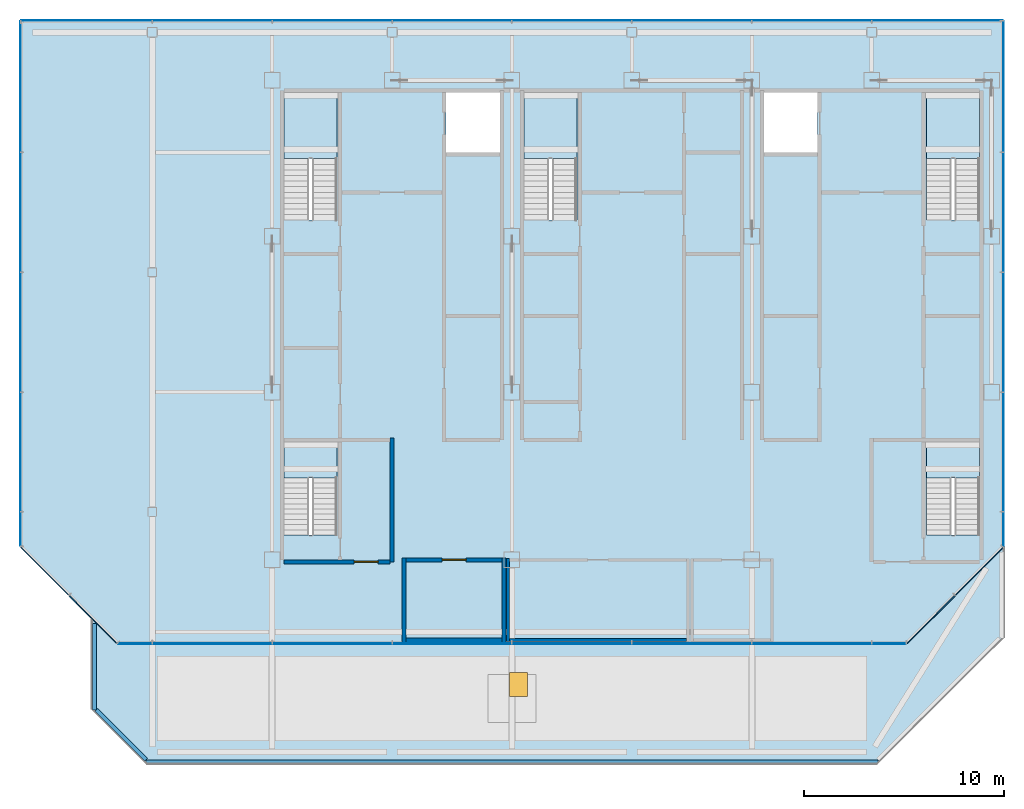
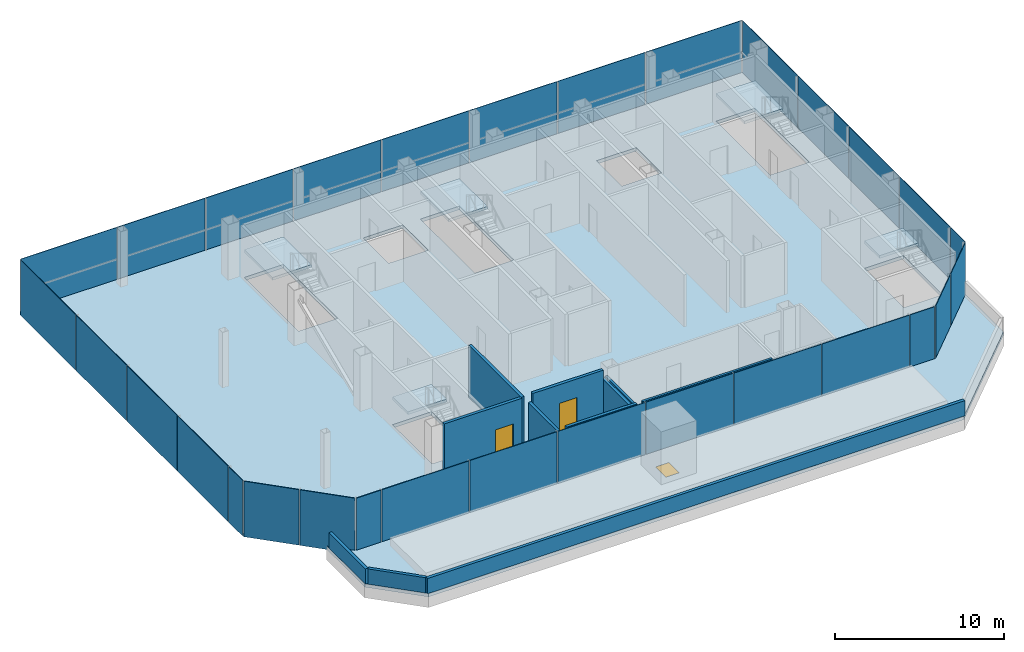
# One storey, part 13 of 18: 30 plates, 11 walls, 7 slabs, 2 doors, 1 window, 3 openings, 11 elements without a shape of their own.
"""IFC4 building model written with IfcOpenShell, lengths in metres."""

import ifcopenshell
import ifcopenshell.guid

model = None  # the IFC model being written
_history = None  # IfcOwnerHistory: only IFC2X3 demands one
_inside = {}  # id of a spatial element -> (the spatial element, [elements in it])
_under = {}  # id of a project, library or spatial element -> (it, [spatial elements below it])
_declared = {}  # id of a project -> (the project, [libraries it declares])
_typed = {}  # id of a type object -> (the type object, [elements of that type])
_made_of = {}  # id of a material, layer set ... -> (it, [elements and type objects made of it])


def new_model(schema):
    """Start an empty IFC model of exactly this schema.

    Asked for "IFC4X3", IfcOpenShell would pick the latest addendum, in which some entities
    have other attributes; the version numbers below select the first issue.
    IFC2X3 requires an IfcOwnerHistory on every rooted entity: one is made here for all.
    """
    global model, _history
    if schema == "IFC4X3":
        model = ifcopenshell.file(schema_version=(4, 3, 0, 0))
    else:
        model = ifcopenshell.file(schema=schema)
    _inside.clear()
    _under.clear()
    _declared.clear()
    _typed.clear()
    _made_of.clear()
    _history = None
    if model.schema == "IFC2X3":
        org = make("IfcOrganization", Name="unknown")
        user = make(
            "IfcPersonAndOrganization",
            ThePerson=make("IfcPerson", FamilyName="unknown"),
            TheOrganization=org,
        )
        app = make(
            "IfcApplication",
            ApplicationDeveloper=org,
            Version="unknown",
            ApplicationFullName="unknown",
            ApplicationIdentifier="unknown",
        )
        _history = make(
            "IfcOwnerHistory",
            OwningUser=user,
            OwningApplication=app,
            ChangeAction="ADDED",
            CreationDate=0,
        )
    return model


def make(cls, **values):
    """One entity of the class cls with the attributes given. An attribute that is None is left unset."""
    return model.create_entity(
        cls, **{name: value for name, value in values.items() if value is not None}
    )


def rooted(cls, **values):
    """An entity with a GlobalId (a new one), such as an element, a storey or a relation."""
    return make(cls, GlobalId=ifcopenshell.guid.new(), OwnerHistory=_history, **values)


def si_unit(unit_type, name, prefix=None):
    """IfcSIUnit, for example si_unit("LENGTHUNIT", "METRE", prefix="MILLI")."""
    return make("IfcSIUnit", UnitType=unit_type, Prefix=prefix, Name=name)


def assignment(units):
    """IfcUnitAssignment: the units of a project."""
    return None if units is None else make("IfcUnitAssignment", Units=units)


def point(xyz):
    """IfcCartesianPoint."""
    return None if xyz is None else make("IfcCartesianPoint", Coordinates=xyz)


def direction(xyz):
    """IfcDirection."""
    return None if xyz is None else make("IfcDirection", DirectionRatios=xyz)


def frame(location, z_axis=None, x_axis=None):
    """IfcAxis2Placement3D, a coordinate frame: its origin and axes. An axis left out is left unset."""
    return make(
        "IfcAxis2Placement3D",
        Location=point(location),
        Axis=direction(z_axis),
        RefDirection=direction(x_axis),
    )


def frame_2d(location, x_axis=None):
    """IfcAxis2Placement2D, a coordinate frame in the plane: its origin and x axis."""
    return make(
        "IfcAxis2Placement2D", Location=point(location), RefDirection=direction(x_axis)
    )


def origin():
    """The frame at (0, 0, 0) with its axes left unset."""
    return frame((0.0, 0.0, 0.0))


def origin_2d():
    """The frame at (0, 0) in the plane with its x axis left unset."""
    return frame_2d((0.0, 0.0))


def place(relative_to, where):
    """IfcLocalPlacement: puts the frame where relative to a parent placement (None: the world)."""
    return make(
        "IfcLocalPlacement", PlacementRelTo=relative_to, RelativePlacement=where
    )


def context(
    kind, dimensions, precision=None, world=None, true_north=None, identifier=None
):
    """IfcGeometricRepresentationContext, for example the 3D "Model" context."""
    return make(
        "IfcGeometricRepresentationContext",
        ContextIdentifier=identifier,
        ContextType=kind,
        CoordinateSpaceDimension=dimensions,
        Precision=precision,
        WorldCoordinateSystem=world,
        TrueNorth=true_north,
    )


def subcontext(parent, identifier, kind, view, scale=None):
    """IfcGeometricRepresentationSubContext, for example "Body" below "Model"."""
    return make(
        "IfcGeometricRepresentationSubContext",
        ContextIdentifier=identifier,
        ContextType=kind,
        ParentContext=parent,
        TargetScale=scale,
        TargetView=view,
    )


def project(units=None, contexts=None):
    """IfcProject with its units and contexts."""
    return rooted(
        "IfcProject",
        Name="project",
        RepresentationContexts=contexts,
        UnitsInContext=assignment(units),
    )


def spatial(cls, under=None, at=None, **own):
    """A site, building, storey or space (cls), placed at a placement, below another one or the project."""
    s = rooted(cls, ObjectPlacement=at, **own)
    if under is not None:
        _under.setdefault(under.id(), (under, []))[1].append(s)
    return s


def polyline(points):
    """IfcPolyline through the points."""
    return make("IfcPolyline", Points=[point(p) for p in points])


def profile(cls, at=None, kind="AREA", **sizes):
    """A parametric profile (cls). Its sizes go by their IFC names, for example OverallWidth=200.0."""
    return make(cls, ProfileType=kind, Position=at, **sizes)


def rectangle(**sizes):
    """IfcRectangleProfileDef."""
    return profile("IfcRectangleProfileDef", **sizes)


def outline(outer, holes=None, kind="AREA"):
    """IfcArbitraryClosedProfileDef: a profile drawn as a closed curve; with holes, ...WithVoids."""
    if holes is None:
        return make("IfcArbitraryClosedProfileDef", ProfileType=kind, OuterCurve=outer)
    return make(
        "IfcArbitraryProfileDefWithVoids",
        ProfileType=kind,
        OuterCurve=outer,
        InnerCurves=holes,
    )


def extrude(swept, where, along, depth):
    """IfcExtrudedAreaSolid: the profile swept, set in the frame where, extruded along a direction by depth."""
    return make(
        "IfcExtrudedAreaSolid",
        SweptArea=swept,
        Position=where,
        ExtrudedDirection=direction(along),
        Depth=depth,
    )


def shape(context_of_items, identifier, shape_type, items):
    """IfcShapeRepresentation: the items that make up one representation, for example the "Body"."""
    return make(
        "IfcShapeRepresentation",
        ContextOfItems=context_of_items,
        RepresentationIdentifier=identifier,
        RepresentationType=shape_type,
        Items=items,
    )


def material(Name=None, Category=None):
    """IfcMaterial."""
    return make("IfcMaterial", Name=Name, Category=Category)


def layer(
    of_material, thickness, ventilated=None, Name=None, Category=None, Priority=None
):
    """IfcMaterialLayer: one layer of a wall or slab, of a material (None: an air gap)."""
    return make(
        "IfcMaterialLayer",
        Material=of_material,
        LayerThickness=thickness,
        IsVentilated=ventilated,
        Name=Name,
        Category=Category,
        Priority=Priority,
    )


def layer_set(layers, Name=None):
    """IfcMaterialLayerSet."""
    return make("IfcMaterialLayerSet", MaterialLayers=layers, LayerSetName=Name)


def made_of(thing, what):
    """Note that an element or type object is made of a material, layer set ...; save() writes the relation."""
    if what is not None:
        _made_of.setdefault(what.id(), (what, []))[1].append(thing)
    return thing


def type_object(cls, material=None, **own):
    """A type object (cls), such as IfcWallType, which elements share."""
    return made_of(rooted(cls, **own), material)


def element(
    cls,
    number,
    at=None,
    inside=None,
    cuts=None,
    type_object=None,
    material=None,
    context=None,
    identifier="Body",
    shape_type=None,
    held_by="IfcProductDefinitionShape",
    body=None,
    shapes=None,
    **own,
):
    """One element of the class cls, such as IfcWall. Its Tag is "e" and its number.

    at: its placement. inside: the storey or other place that contains it. cuts: it is an
    opening in that element (IfcRelVoidsElement). A single representation is given by context,
    identifier, shape_type and body (its items); several are given by shapes. held_by: the class
    of the entity that holds the representations. save() writes the other relations.
    """
    e = rooted(cls, Tag="e%d" % number, ObjectPlacement=at, **own)
    if body is not None:
        shapes = [shape(context, identifier, shape_type, body)]
    if shapes is not None:
        e.Representation = make(held_by, Representations=shapes)
    if inside is not None:
        _inside.setdefault(inside.id(), (inside, []))[1].append(e)
    if cuts is not None:
        rooted(
            "IfcRelVoidsElement", RelatingBuildingElement=cuts, RelatedOpeningElement=e
        )
    if type_object is not None:
        _typed.setdefault(type_object.id(), (type_object, []))[1].append(e)
    return made_of(e, material)


def fill(opening, filler):
    """IfcRelFillsElement: the door or window that sits in an opening."""
    return rooted(
        "IfcRelFillsElement",
        RelatingOpeningElement=opening,
        RelatedBuildingElement=filler,
    )


def aggregate(whole, parts):
    """IfcRelAggregates: a whole, such as a stair, and the parts it consists of."""
    return rooted("IfcRelAggregates", RelatingObject=whole, RelatedObjects=parts)


def save(model, path):
    """Write the relations noted so far, then the file.

    IfcRelAggregates (storeys below a building ...), IfcRelContainedInSpatialStructure (elements
    in a storey), IfcRelDefinesByType, IfcRelAssociatesMaterial and IfcRelDeclares: one each for
    every whole, place, type object, material and project.
    """
    for whole, parts in _under.values():
        aggregate(whole, parts)
    for where, things in _inside.values():
        rooted(
            "IfcRelContainedInSpatialStructure",
            RelatedElements=things,
            RelatingStructure=where,
        )
    for kind, things in _typed.values():
        rooted("IfcRelDefinesByType", RelatedObjects=things, RelatingType=kind)
    for what, things in _made_of.values():
        rooted("IfcRelAssociatesMaterial", RelatedObjects=things, RelatingMaterial=what)
    for by, libraries in _declared.values():
        rooted("IfcRelDeclares", RelatingContext=by, RelatedDefinitions=libraries)
    model.write(path)


model = new_model("IFC4")

# Units and contexts
model_context = context("Model", 3, precision=1e-05, world=origin(), true_north=direction((0.0, 1.0)))
body_context = subcontext(model_context, "Body", "Model", "MODEL_VIEW")
ifc_project = project(units=[si_unit("LENGTHUNIT", "METRE"), si_unit("AREAUNIT", "SQUARE_METRE"), si_unit("VOLUMEUNIT", "CUBIC_METRE"), si_unit("PLANEANGLEUNIT", "RADIAN"), si_unit("MASSUNIT", "GRAM", prefix="KILO")], contexts=[model_context])

# Site, building, storey
site_placement = place(None, origin())
site = spatial("IfcSite", under=ifc_project, at=site_placement, CompositionType="ELEMENT")
building_placement = place(site_placement, origin())
building = spatial("IfcBuilding", under=site, at=building_placement, Name="Sorahane Residences", CompositionType="ELEMENT")
storey_placement = place(building_placement, frame((0.0, 0.0, 345.800048828125)))
storey = spatial("IfcBuildingStorey", under=building, at=storey_placement, Name="L82", CompositionType="ELEMENT", Elevation=345.800048828125)

# Slab
ifc_material_1 = material(Name="Concrete C35", Category="concrete")
ifc_layer_1 = layer(ifc_material_1, 0.25)
ifc_layer_set_1 = layer_set([ifc_layer_1], Name="Composite floor slab 250 mm Concrete C35")
slab_type_1 = type_object("IfcSlabType", Name="Composite floor slab 250 mm Concrete C35", PredefinedType="FLOOR", material=ifc_layer_set_1)
slab_1_placement = place(storey_placement, frame((0.0, 0.0, -0.25)))
element("IfcSlab", 1, at=slab_1_placement, inside=storey, type_object=slab_type_1, Name="Slab L82", PredefinedType="FLOOR", context=body_context, shape_type="SweptSolid", body=[
    extrude(outline(polyline([(-1.74853515625, 17.39990234375), (-6.60009765625, 22.25146484375), (-6.60009765625, 48.60009765625), (42.60009765625, 48.60009765625), (42.60009765625, 22.25146484375), (37.74853515625, 17.39990234375), (-1.74853515625, 17.39990234375)]), holes=[polyline([(30.60009765625, 42.0), (33.300048828125, 42.0), (33.300048828125, 45.0), (30.60009765625, 45.0), (30.60009765625, 42.0)]), polyline([(14.699951171875, 42.0), (17.39990234375, 42.0), (17.39990234375, 45.0), (14.699951171875, 45.0), (14.699951171875, 42.0)]), polyline([(9.25, 38.60009765625), (9.25, 45.0), (6.60009765625, 45.0), (6.60009765625, 38.60009765625), (9.25, 38.60009765625)]), polyline([(41.39990234375, 38.60009765625), (41.39990234375, 45.0), (38.75, 45.0), (38.75, 38.60009765625), (41.39990234375, 38.60009765625)]), polyline([(21.25, 38.60009765625), (21.25, 45.0), (18.60009765625, 45.0), (18.60009765625, 38.60009765625), (21.25, 38.60009765625)]), polyline([(9.25, 22.85009765625), (9.25, 27.5), (6.60009765625, 27.5), (6.60009765625, 22.85009765625), (9.25, 22.85009765625)]), polyline([(41.39990234375, 22.85009765625), (41.39990234375, 27.5), (38.75, 27.5), (38.75, 22.85009765625), (41.39990234375, 22.85009765625)])]), origin(), (0.0, 0.0, 1.0), 0.25),
])

# Curtain wall, plates
ifc_material_2 = material(Name="Dark low-e glass and black anodised aluminium", Category="aluminium")
curtain_wall_type = type_object("IfcCurtainWallType", Name="Curtain wall CW-6 Crown unitised wall", PredefinedType="NOTDEFINED", material=ifc_material_2)
curtain_wall_1_placement = place(storey_placement, origin())
curtain_wall_1 = element("IfcCurtainWall", 2, at=curtain_wall_1_placement, inside=storey, type_object=curtain_wall_type, Name="CW-6 curtain wall L82 S1", PredefinedType="NOTDEFINED")
ifc_material_3 = material(Name="Dark low-e glass with black ceramic frit", Category="glass")
ifc_layer_2 = layer(ifc_material_3, 0.0400390625)
ifc_layer_set_2 = layer_set([ifc_layer_2], Name="Curtain wall glass panel dark low-e crown with black frit spandrel band")
plate_type = type_object("IfcPlateType", Name="Curtain wall glass panel dark low-e crown with black frit spandrel band", PredefinedType="CURTAIN_PANEL", material=ifc_layer_set_2)
plate_1_placement = place(storey_placement, frame((-0.86181640625, 17.39990234375, -0.25), z_axis=(0.0, 0.0, 1.0), x_axis=(1.0, 0.0, 0.0)))
plate_1 = element("IfcPlate", 3, at=plate_1_placement, type_object=plate_type, Name="CW-6 glass panel L82 S1.1", PredefinedType="CURTAIN_PANEL", context=body_context, shape_type="SweptSolid", body=[
    extrude(rectangle(XDim=1.673583984375, YDim=0.0400390625, at=origin_2d()), origin(), (0.0, 0.0, 1.0), 4.0),
])
plate_2_placement = place(storey_placement, frame((3.0, 17.39990234375, -0.25), z_axis=(0.0, 0.0, 1.0), x_axis=(1.0, 0.0, 0.0)))
plate_2 = element("IfcPlate", 4, at=plate_2_placement, type_object=plate_type, Name="CW-6 glass panel L82 S1.2", PredefinedType="CURTAIN_PANEL", context=body_context, shape_type="SweptSolid", body=[
    extrude(rectangle(XDim=5.949951171875, YDim=0.0400390625, at=origin_2d()), origin(), (0.0, 0.0, 1.0), 4.0),
])
plate_3_placement = place(storey_placement, frame((9.0, 17.39990234375, -0.25), z_axis=(0.0, 0.0, 1.0), x_axis=(1.0, 0.0, 0.0)))
plate_3 = element("IfcPlate", 5, at=plate_3_placement, type_object=plate_type, Name="CW-6 glass panel L82 S1.3", PredefinedType="CURTAIN_PANEL", context=body_context, shape_type="SweptSolid", body=[
    extrude(rectangle(XDim=5.949951171875, YDim=0.0400390625, at=origin_2d()), origin(), (0.0, 0.0, 1.0), 4.0),
])
plate_4_placement = place(storey_placement, frame((15.0, 17.39990234375, -0.25), z_axis=(0.0, 0.0, 1.0), x_axis=(1.0, 0.0, 0.0)))
plate_4 = element("IfcPlate", 6, at=plate_4_placement, type_object=plate_type, Name="CW-6 glass panel L82 S1.4", PredefinedType="CURTAIN_PANEL", context=body_context, shape_type="SweptSolid", body=[
    extrude(rectangle(XDim=5.949951171875, YDim=0.0400390625, at=origin_2d()), origin(), (0.0, 0.0, 1.0), 4.0),
])
plate_5_placement = place(storey_placement, frame((21.0, 17.39990234375, -0.25), z_axis=(0.0, 0.0, 1.0), x_axis=(1.0, 0.0, 0.0)))
plate_5 = element("IfcPlate", 7, at=plate_5_placement, type_object=plate_type, Name="CW-6 glass panel L82 S1.5", PredefinedType="CURTAIN_PANEL", context=body_context, shape_type="SweptSolid", body=[
    extrude(rectangle(XDim=5.949951171875, YDim=0.0400390625, at=origin_2d()), origin(), (0.0, 0.0, 1.0), 4.0),
])
plate_6_placement = place(storey_placement, frame((27.0, 17.39990234375, -0.25), z_axis=(0.0, 0.0, 1.0), x_axis=(1.0, 0.0, 0.0)))
plate_6 = element("IfcPlate", 8, at=plate_6_placement, type_object=plate_type, Name="CW-6 glass panel L82 S1.6", PredefinedType="CURTAIN_PANEL", context=body_context, shape_type="SweptSolid", body=[
    extrude(rectangle(XDim=5.949951171875, YDim=0.0400390625, at=origin_2d()), origin(), (0.0, 0.0, 1.0), 4.0),
])
plate_7_placement = place(storey_placement, frame((33.0, 17.39990234375, -0.25), z_axis=(0.0, 0.0, 1.0), x_axis=(1.0, 0.0, 0.0)))
plate_7 = element("IfcPlate", 9, at=plate_7_placement, type_object=plate_type, Name="CW-6 glass panel L82 S1.7", PredefinedType="CURTAIN_PANEL", context=body_context, shape_type="SweptSolid", body=[
    extrude(rectangle(XDim=5.949951171875, YDim=0.0400390625, at=origin_2d()), origin(), (0.0, 0.0, 1.0), 4.0),
])
plate_8_placement = place(storey_placement, frame((36.86181640625, 17.39990234375, -0.25), z_axis=(0.0, 0.0, 1.0), x_axis=(1.0, 0.0, 0.0)))
plate_8 = element("IfcPlate", 10, at=plate_8_placement, type_object=plate_type, Name="CW-6 glass panel L82 S1.8", PredefinedType="CURTAIN_PANEL", context=body_context, shape_type="SweptSolid", body=[
    extrude(rectangle(XDim=1.673583984375, YDim=0.0400390625, at=origin_2d()), origin(), (0.0, 0.0, 1.0), 4.0),
])
aggregate(curtain_wall_1, [plate_1, plate_2, plate_3, plate_4, plate_5, plate_6, plate_7, plate_8])

curtain_wall_2_placement = place(storey_placement, origin())
curtain_wall_2 = element("IfcCurtainWall", 11, at=curtain_wall_2_placement, inside=storey, type_object=curtain_wall_type, Name="CW-6 curtain wall L82 SE1", PredefinedType="NOTDEFINED")
plate_9_placement = place(storey_placement, frame((38.97021484375, 18.621826171875, -0.25), z_axis=(0.0, 0.0, 1.0), x_axis=(0.707106781187, 0.707106781187, 0.0)))
plate_9 = element("IfcPlate", 12, at=plate_9_placement, type_object=plate_type, Name="CW-6 glass panel L82 SE1.1", PredefinedType="CURTAIN_PANEL", context=body_context, shape_type="SweptSolid", body=[
    extrude(rectangle(XDim=3.35546875, YDim=0.0400390625, at=origin_2d()), origin(), (0.0, 0.0, 1.0), 4.0),
])
plate_10_placement = place(storey_placement, frame((41.378173828125, 21.02978515625, -0.25), z_axis=(0.0, 0.0, 1.0), x_axis=(0.707106781187, 0.707106781187, 0.0)))
plate_10 = element("IfcPlate", 13, at=plate_10_placement, type_object=plate_type, Name="CW-6 glass panel L82 SE1.2", PredefinedType="CURTAIN_PANEL", context=body_context, shape_type="SweptSolid", body=[
    extrude(rectangle(XDim=3.35546875, YDim=0.0400390625, at=origin_2d()), origin(), (0.0, 0.0, 1.0), 4.0),
])
aggregate(curtain_wall_2, [plate_9, plate_10])

curtain_wall_3_placement = place(storey_placement, origin())
curtain_wall_3 = element("IfcCurtainWall", 14, at=curtain_wall_3_placement, inside=storey, type_object=curtain_wall_type, Name="CW-6 curtain wall L82 E1", PredefinedType="NOTDEFINED")
plate_11_placement = place(storey_placement, frame((42.60009765625, 23.13818359375, -0.25), z_axis=(0.0, 0.0, 1.0), x_axis=(0.0, 1.0, 0.0)))
plate_11 = element("IfcPlate", 15, at=plate_11_placement, type_object=plate_type, Name="CW-6 glass panel L82 E1.1", PredefinedType="CURTAIN_PANEL", context=body_context, shape_type="SweptSolid", body=[
    extrude(rectangle(XDim=1.673583984375, YDim=0.0400390625, at=origin_2d()), origin(), (0.0, 0.0, 1.0), 4.0),
])
plate_12_placement = place(storey_placement, frame((42.60009765625, 27.0, -0.25), z_axis=(0.0, 0.0, 1.0), x_axis=(0.0, 1.0, 0.0)))
plate_12 = element("IfcPlate", 16, at=plate_12_placement, type_object=plate_type, Name="CW-6 glass panel L82 E1.2", PredefinedType="CURTAIN_PANEL", context=body_context, shape_type="SweptSolid", body=[
    extrude(rectangle(XDim=5.949951171875, YDim=0.0400390625, at=origin_2d()), origin(), (0.0, 0.0, 1.0), 4.0),
])
plate_13_placement = place(storey_placement, frame((42.60009765625, 33.0, -0.25), z_axis=(0.0, 0.0, 1.0), x_axis=(0.0, 1.0, 0.0)))
plate_13 = element("IfcPlate", 17, at=plate_13_placement, type_object=plate_type, Name="CW-6 glass panel L82 E1.3", PredefinedType="CURTAIN_PANEL", context=body_context, shape_type="SweptSolid", body=[
    extrude(rectangle(XDim=5.949951171875, YDim=0.0400390625, at=origin_2d()), origin(), (0.0, 0.0, 1.0), 4.0),
])
plate_14_placement = place(storey_placement, frame((42.60009765625, 39.0, -0.25), z_axis=(0.0, 0.0, 1.0), x_axis=(0.0, 1.0, 0.0)))
plate_14 = element("IfcPlate", 18, at=plate_14_placement, type_object=plate_type, Name="CW-6 glass panel L82 E1.4", PredefinedType="CURTAIN_PANEL", context=body_context, shape_type="SweptSolid", body=[
    extrude(rectangle(XDim=5.949951171875, YDim=0.0400390625, at=origin_2d()), origin(), (0.0, 0.0, 1.0), 4.0),
])
plate_15_placement = place(storey_placement, frame((42.60009765625, 45.28759765625, -0.25), z_axis=(0.0, 0.0, 1.0), x_axis=(0.0, 1.0, 0.0)))
plate_15 = element("IfcPlate", 19, at=plate_15_placement, type_object=plate_type, Name="CW-6 glass panel L82 E1.5", PredefinedType="CURTAIN_PANEL", context=body_context, shape_type="SweptSolid", body=[
    extrude(rectangle(XDim=6.52490234375, YDim=0.0400390625, at=origin_2d()), origin(), (0.0, 0.0, 1.0), 4.0),
])
aggregate(curtain_wall_3, [plate_11, plate_12, plate_13, plate_14, plate_15])

curtain_wall_4_placement = place(storey_placement, origin())
curtain_wall_4 = element("IfcCurtainWall", 20, at=curtain_wall_4_placement, inside=storey, type_object=curtain_wall_type, Name="CW-6 curtain wall L82 N1", PredefinedType="NOTDEFINED")
plate_16_placement = place(storey_placement, frame((39.28759765625, 48.60009765625, -0.25), z_axis=(0.0, 0.0, 1.0), x_axis=(-1.0, 0.0, 0.0)))
plate_16 = element("IfcPlate", 21, at=plate_16_placement, type_object=plate_type, Name="CW-6 glass panel L82 N1.1", PredefinedType="CURTAIN_PANEL", context=body_context, shape_type="SweptSolid", body=[
    extrude(rectangle(XDim=6.52490234375, YDim=0.0400390625, at=origin_2d()), origin(), (0.0, 0.0, 1.0), 4.0),
])
plate_17_placement = place(storey_placement, frame((33.0, 48.60009765625, -0.25), z_axis=(0.0, 0.0, 1.0), x_axis=(-1.0, 0.0, 0.0)))
plate_17 = element("IfcPlate", 22, at=plate_17_placement, type_object=plate_type, Name="CW-6 glass panel L82 N1.2", PredefinedType="CURTAIN_PANEL", context=body_context, shape_type="SweptSolid", body=[
    extrude(rectangle(XDim=5.949951171875, YDim=0.0400390625, at=origin_2d()), origin(), (0.0, 0.0, 1.0), 4.0),
])
plate_18_placement = place(storey_placement, frame((27.0, 48.60009765625, -0.25), z_axis=(0.0, 0.0, 1.0), x_axis=(-1.0, 0.0, 0.0)))
plate_18 = element("IfcPlate", 23, at=plate_18_placement, type_object=plate_type, Name="CW-6 glass panel L82 N1.3", PredefinedType="CURTAIN_PANEL", context=body_context, shape_type="SweptSolid", body=[
    extrude(rectangle(XDim=5.949951171875, YDim=0.0400390625, at=origin_2d()), origin(), (0.0, 0.0, 1.0), 4.0),
])
plate_19_placement = place(storey_placement, frame((21.0, 48.60009765625, -0.25), z_axis=(0.0, 0.0, 1.0), x_axis=(-1.0, 0.0, 0.0)))
plate_19 = element("IfcPlate", 24, at=plate_19_placement, type_object=plate_type, Name="CW-6 glass panel L82 N1.4", PredefinedType="CURTAIN_PANEL", context=body_context, shape_type="SweptSolid", body=[
    extrude(rectangle(XDim=5.949951171875, YDim=0.0400390625, at=origin_2d()), origin(), (0.0, 0.0, 1.0), 4.0),
])
plate_20_placement = place(storey_placement, frame((15.0, 48.60009765625, -0.25), z_axis=(0.0, 0.0, 1.0), x_axis=(-1.0, 0.0, 0.0)))
plate_20 = element("IfcPlate", 25, at=plate_20_placement, type_object=plate_type, Name="CW-6 glass panel L82 N1.5", PredefinedType="CURTAIN_PANEL", context=body_context, shape_type="SweptSolid", body=[
    extrude(rectangle(XDim=5.949951171875, YDim=0.0400390625, at=origin_2d()), origin(), (0.0, 0.0, 1.0), 4.0),
])
plate_21_placement = place(storey_placement, frame((9.0, 48.60009765625, -0.25), z_axis=(0.0, 0.0, 1.0), x_axis=(-1.0, 0.0, 0.0)))
plate_21 = element("IfcPlate", 26, at=plate_21_placement, type_object=plate_type, Name="CW-6 glass panel L82 N1.6", PredefinedType="CURTAIN_PANEL", context=body_context, shape_type="SweptSolid", body=[
    extrude(rectangle(XDim=5.949951171875, YDim=0.0400390625, at=origin_2d()), origin(), (0.0, 0.0, 1.0), 4.0),
])
plate_22_placement = place(storey_placement, frame((3.0, 48.60009765625, -0.25), z_axis=(0.0, 0.0, 1.0), x_axis=(-1.0, 0.0, 0.0)))
plate_22 = element("IfcPlate", 27, at=plate_22_placement, type_object=plate_type, Name="CW-6 glass panel L82 N1.7", PredefinedType="CURTAIN_PANEL", context=body_context, shape_type="SweptSolid", body=[
    extrude(rectangle(XDim=5.949951171875, YDim=0.0400390625, at=origin_2d()), origin(), (0.0, 0.0, 1.0), 4.0),
])
plate_23_placement = place(storey_placement, frame((-3.28759765625, 48.60009765625, -0.25), z_axis=(0.0, 0.0, 1.0), x_axis=(-1.0, 0.0, 0.0)))
plate_23 = element("IfcPlate", 28, at=plate_23_placement, type_object=plate_type, Name="CW-6 glass panel L82 N1.8", PredefinedType="CURTAIN_PANEL", context=body_context, shape_type="SweptSolid", body=[
    extrude(rectangle(XDim=6.52490234375, YDim=0.0400390625, at=origin_2d()), origin(), (0.0, 0.0, 1.0), 4.0),
])
aggregate(curtain_wall_4, [plate_16, plate_17, plate_18, plate_19, plate_20, plate_21, plate_22, plate_23])

curtain_wall_5_placement = place(storey_placement, origin())
curtain_wall_5 = element("IfcCurtainWall", 29, at=curtain_wall_5_placement, inside=storey, type_object=curtain_wall_type, Name="CW-6 curtain wall L82 W1", PredefinedType="NOTDEFINED")
plate_24_placement = place(storey_placement, frame((-6.60009765625, 45.28759765625, -0.25), z_axis=(0.0, 0.0, 1.0), x_axis=(0.0, -1.0, 0.0)))
plate_24 = element("IfcPlate", 30, at=plate_24_placement, type_object=plate_type, Name="CW-6 glass panel L82 W1.1", PredefinedType="CURTAIN_PANEL", context=body_context, shape_type="SweptSolid", body=[
    extrude(rectangle(XDim=6.52490234375, YDim=0.0400390625, at=origin_2d()), origin(), (0.0, 0.0, 1.0), 4.0),
])
plate_25_placement = place(storey_placement, frame((-6.60009765625, 39.0, -0.25), z_axis=(0.0, 0.0, 1.0), x_axis=(0.0, -1.0, 0.0)))
plate_25 = element("IfcPlate", 31, at=plate_25_placement, type_object=plate_type, Name="CW-6 glass panel L82 W1.2", PredefinedType="CURTAIN_PANEL", context=body_context, shape_type="SweptSolid", body=[
    extrude(rectangle(XDim=5.949951171875, YDim=0.0400390625, at=origin_2d()), origin(), (0.0, 0.0, 1.0), 4.0),
])
plate_26_placement = place(storey_placement, frame((-6.60009765625, 33.0, -0.25), z_axis=(0.0, 0.0, 1.0), x_axis=(0.0, -1.0, 0.0)))
plate_26 = element("IfcPlate", 32, at=plate_26_placement, type_object=plate_type, Name="CW-6 glass panel L82 W1.3", PredefinedType="CURTAIN_PANEL", context=body_context, shape_type="SweptSolid", body=[
    extrude(rectangle(XDim=5.949951171875, YDim=0.0400390625, at=origin_2d()), origin(), (0.0, 0.0, 1.0), 4.0),
])
plate_27_placement = place(storey_placement, frame((-6.60009765625, 27.0, -0.25), z_axis=(0.0, 0.0, 1.0), x_axis=(0.0, -1.0, 0.0)))
plate_27 = element("IfcPlate", 33, at=plate_27_placement, type_object=plate_type, Name="CW-6 glass panel L82 W1.4", PredefinedType="CURTAIN_PANEL", context=body_context, shape_type="SweptSolid", body=[
    extrude(rectangle(XDim=5.949951171875, YDim=0.0400390625, at=origin_2d()), origin(), (0.0, 0.0, 1.0), 4.0),
])
plate_28_placement = place(storey_placement, frame((-6.60009765625, 23.13818359375, -0.25), z_axis=(0.0, 0.0, 1.0), x_axis=(0.0, -1.0, 0.0)))
plate_28 = element("IfcPlate", 34, at=plate_28_placement, type_object=plate_type, Name="CW-6 glass panel L82 W1.5", PredefinedType="CURTAIN_PANEL", context=body_context, shape_type="SweptSolid", body=[
    extrude(rectangle(XDim=1.673583984375, YDim=0.0400390625, at=origin_2d()), origin(), (0.0, 0.0, 1.0), 4.0),
])
aggregate(curtain_wall_5, [plate_24, plate_25, plate_26, plate_27, plate_28])

curtain_wall_6_placement = place(storey_placement, origin())
curtain_wall_6 = element("IfcCurtainWall", 35, at=curtain_wall_6_placement, inside=storey, type_object=curtain_wall_type, Name="CW-6 curtain wall L82 SW1", PredefinedType="NOTDEFINED")
plate_29_placement = place(storey_placement, frame((-5.378173828125, 21.02978515625, -0.25), z_axis=(0.0, 0.0, 1.0), x_axis=(0.707106781187, -0.707106781187, 0.0)))
plate_29 = element("IfcPlate", 36, at=plate_29_placement, type_object=plate_type, Name="CW-6 glass panel L82 SW1.1", PredefinedType="CURTAIN_PANEL", context=body_context, shape_type="SweptSolid", body=[
    extrude(rectangle(XDim=3.35546875, YDim=0.0400390625, at=origin_2d()), origin(), (0.0, 0.0, 1.0), 4.0),
])
plate_30_placement = place(storey_placement, frame((-2.97021484375, 18.621826171875, -0.25), z_axis=(0.0, 0.0, 1.0), x_axis=(0.707106781187, -0.707106781187, 0.0)))
plate_30 = element("IfcPlate", 37, at=plate_30_placement, type_object=plate_type, Name="CW-6 glass panel L82 SW1.2", PredefinedType="CURTAIN_PANEL", context=body_context, shape_type="SweptSolid", body=[
    extrude(rectangle(XDim=3.35546875, YDim=0.0400390625, at=origin_2d()), origin(), (0.0, 0.0, 1.0), 4.0),
])
aggregate(curtain_wall_6, [plate_29, plate_30])

# Slab, opening, window
ifc_material_4 = material(Name="Concrete C35", Category="concrete")
ifc_layer_3 = layer(ifc_material_4, 0.25)
ifc_layer_set_3 = layer_set([ifc_layer_3], Name="Roof terrace slab Concrete C35 paved 250")
slab_type_2 = type_object("IfcSlabType", Name="Roof terrace slab Concrete C35 paved 250", PredefinedType="ROOF", material=ifc_layer_set_3)
slab_2_placement = place(storey_placement, frame((0.0, 0.0, -0.25)))
slab_2 = element("IfcSlab", 38, at=slab_2_placement, inside=storey, type_object=slab_type_2, Name="Garden roof slab L82.1", PredefinedType="ROOF", context=body_context, shape_type="SweptSolid", body=[
    extrude(outline(polyline([(-1.74853515625, 17.39990234375), (37.74853515625, 17.39990234375), (42.60009765625, 22.25146484375), (42.60009765625, 17.75146484375), (36.24853515625, 11.39990234375), (-0.24853515625, 11.39990234375), (-3.0, 14.151611328125), (-3.0, 18.651611328125), (-1.74853515625, 17.39990234375)])), origin(), (0.0, 0.0, 1.0), 0.25),
])
opening_1_placement = place(slab_2_placement, frame((18.31689453125, 15.365966796875, 0.0)))
opening_1 = element("IfcOpeningElement", 39, at=opening_1_placement, cuts=slab_2, Name="Opening RH-1", PredefinedType="OPENING", context=body_context, shape_type="SweptSolid", body=[
    extrude(rectangle(XDim=0.89990234375, YDim=1.199951171875, at=origin_2d()), frame((0.0, 0.0, -0.010009765625)), (0.0, 0.0, 1.0), 0.27001953125),
])
ifc_material_5 = material(Name="Aluminium and glass", Category="aluminium")
window_type = type_object("IfcWindowType", Name="ROOF ACCESS HATCH aluminium 900x1200", PartitioningType="SINGLE_PANEL", PredefinedType="SKYLIGHT", material=ifc_material_5)
window_placement = place(opening_1_placement, frame((0.0, 0.0, 0.199951171875)))
window = element("IfcWindow", 40, at=window_placement, inside=storey, type_object=window_type, Name="Roof access hatch L82.1", OverallHeight=1.199951171875, OverallWidth=0.89990234375, PartitioningType="SINGLE_PANEL", PredefinedType="SKYLIGHT", context=body_context, shape_type="SweptSolid", body=[
    extrude(rectangle(XDim=0.89990234375, YDim=1.199951171875, at=origin_2d()), origin(), (0.0, 0.0, 1.0), 0.050048828125),
])
fill(opening_1, window)

# Stair, slab
ifc_material_6 = material(Name="Concrete C40", Category="concrete")
stair_type = type_object("IfcStairType", Name="Dog-leg stair 1250 Concrete C40", PredefinedType="HALF_TURN_STAIR", material=ifc_material_6)
stair_1_placement = place(storey_placement, origin())
stair_1 = element("IfcStair", 41, at=stair_1_placement, inside=storey, type_object=stair_type, Name="L82 Stair S1", PredefinedType="HALF_TURN_STAIR")
ifc_material_7 = material(Name="Concrete C40", Category="concrete")
ifc_layer_4 = layer(ifc_material_7, 0.199951171875)
ifc_layer_set_4 = layer_set([ifc_layer_4], Name="Stair landing 200 Concrete C40")
slab_type_3 = type_object("IfcSlabType", Name="Stair landing 200 Concrete C40", PredefinedType="LANDING", material=ifc_layer_set_4)
slab_3_placement = place(storey_placement, frame((0.0, 0.0, 1.800048828125)))
slab_3 = element("IfcSlab", 42, at=slab_3_placement, type_object=slab_type_3, Name="S1 landing 1", PredefinedType="LANDING", context=body_context, shape_type="SweptSolid", body=[
    extrude(outline(polyline([(9.25, 41.679931640625), (9.25, 45.0), (6.60009765625, 45.0), (6.60009765625, 41.679931640625), (9.25, 41.679931640625)])), origin(), (0.0, 0.0, 1.0), 0.199951171875),
])
aggregate(stair_1, [slab_3])

stair_2_placement = place(storey_placement, origin())
stair_2 = element("IfcStair", 43, at=stair_2_placement, inside=storey, type_object=stair_type, Name="L82 Stair S2", PredefinedType="HALF_TURN_STAIR")
slab_4_placement = place(storey_placement, frame((0.0, 0.0, 1.800048828125)))
slab_4 = element("IfcSlab", 44, at=slab_4_placement, type_object=slab_type_3, Name="S2 landing 1", PredefinedType="LANDING", context=body_context, shape_type="SweptSolid", body=[
    extrude(outline(polyline([(41.39990234375, 41.679931640625), (41.39990234375, 45.0), (38.75, 45.0), (38.75, 41.679931640625), (41.39990234375, 41.679931640625)])), origin(), (0.0, 0.0, 1.0), 0.199951171875),
])
aggregate(stair_2, [slab_4])

stair_3_placement = place(storey_placement, origin())
stair_3 = element("IfcStair", 45, at=stair_3_placement, inside=storey, type_object=stair_type, Name="L82 Stair S3", PredefinedType="HALF_TURN_STAIR")
slab_5_placement = place(storey_placement, frame((0.0, 0.0, 1.800048828125)))
slab_5 = element("IfcSlab", 46, at=slab_5_placement, type_object=slab_type_3, Name="S3 landing 1", PredefinedType="LANDING", context=body_context, shape_type="SweptSolid", body=[
    extrude(outline(polyline([(21.25, 41.679931640625), (21.25, 45.0), (18.60009765625, 45.0), (18.60009765625, 41.679931640625), (21.25, 41.679931640625)])), origin(), (0.0, 0.0, 1.0), 0.199951171875),
])
aggregate(stair_3, [slab_5])

stair_4_placement = place(storey_placement, origin())
stair_4 = element("IfcStair", 47, at=stair_4_placement, inside=storey, type_object=stair_type, Name="L82 Stair S4", PredefinedType="HALF_TURN_STAIR")
slab_6_placement = place(storey_placement, frame((0.0, 0.0, 1.800048828125)))
slab_6 = element("IfcSlab", 48, at=slab_6_placement, type_object=slab_type_3, Name="S4 landing 1", PredefinedType="LANDING", context=body_context, shape_type="SweptSolid", body=[
    extrude(outline(polyline([(9.25, 25.7099609375), (9.25, 27.5), (6.60009765625, 27.5), (6.60009765625, 25.7099609375), (9.25, 25.7099609375)])), origin(), (0.0, 0.0, 1.0), 0.199951171875),
])
aggregate(stair_4, [slab_6])

stair_5_placement = place(storey_placement, origin())
stair_5 = element("IfcStair", 49, at=stair_5_placement, inside=storey, type_object=stair_type, Name="L82 Stair S5", PredefinedType="HALF_TURN_STAIR")
slab_7_placement = place(storey_placement, frame((0.0, 0.0, 1.800048828125)))
slab_7 = element("IfcSlab", 50, at=slab_7_placement, type_object=slab_type_3, Name="S5 landing 1", PredefinedType="LANDING", context=body_context, shape_type="SweptSolid", body=[
    extrude(outline(polyline([(41.39990234375, 25.7099609375), (41.39990234375, 27.5), (38.75, 27.5), (38.75, 25.7099609375), (41.39990234375, 25.7099609375)])), origin(), (0.0, 0.0, 1.0), 0.199951171875),
])
aggregate(stair_5, [slab_7])

# Walls
ifc_material_8 = material(Name="Concrete C30", Category="concrete")
ifc_layer_5 = layer(ifc_material_8, 0.199951171875)
ifc_layer_set_5 = layer_set([ifc_layer_5], Name="Front room wall 200 EI 120")
wall_type_1 = type_object("IfcWallType", Name="Front room wall 200 EI 120", PredefinedType="PARTITIONING", material=ifc_layer_set_5)
wall_1_placement = place(storey_placement, frame((12.0, 21.5, 0.0), z_axis=(0.0, 0.0, 1.0), x_axis=(0.0, 1.0, 0.0)))
element("IfcWall", 51, at=wall_1_placement, inside=storey, type_object=wall_type_1, Name="L82 front room wall", PredefinedType="PARTITIONING", context=body_context, shape_type="SweptSolid", body=[
    extrude(rectangle(XDim=6.199951171875, YDim=0.199951171875, at=frame_2d((3.10009765625, 0.0))), origin(), (0.0, 0.0, 1.0), 3.75),
])
ifc_material_9 = material(Name="Concrete C35", Category="concrete")
ifc_layer_6 = layer(ifc_material_9, 0.199951171875)
ifc_layer_set_6 = layer_set([ifc_layer_6], Name="Parapet wall Concrete C35 200")
wall_type_2 = type_object("IfcWallType", Name="Parapet wall Concrete C35 200", PredefinedType="PARAPET", material=ifc_layer_set_6)
wall_2_placement = place(storey_placement, frame((36.30712890625, 11.5, 0.0), z_axis=(0.0, 0.0, 1.0), x_axis=(-1.0, 0.0, 0.0)))
element("IfcWall", 52, at=wall_2_placement, inside=storey, type_object=wall_type_2, Name="Roof parapet L82.1.1.3", PredefinedType="PARAPET", context=body_context, shape_type="SweptSolid", body=[
    extrude(rectangle(XDim=36.6142578125, YDim=0.199951171875, at=frame_2d((18.30712890625, 0.0))), origin(), (0.0, 0.0, 1.0), 1.099853515625),
])
wall_3_placement = place(storey_placement, frame((-0.3095703125, 11.6025390625, 0.0), z_axis=(0.0, 0.0, 1.0), x_axis=(-0.707141474746, 0.707072085925, 0.0)))
element("IfcWall", 53, at=wall_3_placement, inside=storey, type_object=wall_type_2, Name="Roof parapet L82.1.1.4", PredefinedType="PARAPET", context=body_context, shape_type="SweptSolid", body=[
    extrude(rectangle(XDim=3.5185546875, YDim=0.199951171875, at=frame_2d((1.75927734375, 0.0))), origin(), (0.0, 0.0, 1.0), 1.099853515625),
])
wall_4_placement = place(storey_placement, frame((-2.89990234375, 14.093017578125, 0.0), z_axis=(0.0, 0.0, 1.0), x_axis=(0.0, 1.0, 0.0)))
element("IfcWall", 54, at=wall_4_placement, inside=storey, type_object=wall_type_2, Name="Roof parapet L82.1.1.5", PredefinedType="PARAPET", context=body_context, shape_type="SweptSolid", body=[
    extrude(rectangle(XDim=4.317138671875, YDim=0.199951171875, at=frame_2d((2.15869140625, 0.0))), origin(), (0.0, 0.0, 1.0), 1.099853515625),
])
ifc_material_10 = material(Name="Gypsum board partition on steel studs", Category="steel")
ifc_layer_7 = layer(ifc_material_10, 0.14990234375)
ifc_layer_set_7 = layer_set([ifc_layer_7], Name="Partition 150 EI 90")
wall_type_3 = type_object("IfcWallType", Name="Partition 150 EI 90", PredefinedType="PARTITIONING", material=ifc_layer_set_7)
wall_5_placement = place(storey_placement, frame((17.800048828125, 17.52490234375, 0.0), z_axis=(0.0, 0.0, 1.0), x_axis=(0.0, 1.0, 0.0)))
element("IfcWall", 55, at=wall_5_placement, inside=storey, type_object=wall_type_3, Name="L82 partition", PredefinedType="PARTITIONING", context=body_context, shape_type="SweptSolid", body=[
    extrude(rectangle(XDim=4.150146484375, YDim=0.14990234375, at=frame_2d((2.0751953125, 0.0))), origin(), (0.0, 0.0, 1.0), 3.14990234375),
])
wall_6_placement = place(storey_placement, frame((17.875, 17.60009765625, 0.0), z_axis=(0.0, 0.0, 1.0), x_axis=(1.0, 0.0, 0.0)))
element("IfcWall", 56, at=wall_6_placement, inside=storey, type_object=wall_type_3, Name="L82 partition", PredefinedType="PARTITIONING", context=body_context, shape_type="SweptSolid", body=[
    extrude(rectangle(XDim=8.85009765625, YDim=0.14990234375, at=frame_2d((4.425048828125, 0.0))), origin(), (0.0, 0.0, 1.0), 3.75),
])
ifc_material_11 = material(Name="Concrete blockwork C20 wall", Category="masonry")
ifc_layer_8 = layer(ifc_material_11, 0.199951171875)
ifc_layer_set_8 = layer_set([ifc_layer_8], Name="Plant wall 200 EI 120")
wall_type_4 = type_object("IfcWallType", Name="Plant wall 200 EI 120", PredefinedType="SOLIDWALL", material=ifc_layer_set_8)
for number, where, z_axis, x_axis, name in (
    (57, (12.60009765625, 17.5, 0.0), (0.0, 0.0, 1.0), (0.0, 1.0, 0.0), "L82 plant wall"),
    (58, (17.60009765625, 17.5, 0.0), (0.0, 0.0, 1.0), (0.0, 1.0, 0.0), "L82 plant wall"),
):
    element("IfcWall", number, at=place(storey_placement, frame(where, z_axis=z_axis, x_axis=x_axis)), inside=storey, type_object=wall_type_4, Name=name, PredefinedType="SOLIDWALL", context=body_context, shape_type="SweptSolid", body=[
        extrude(rectangle(XDim=4.199951171875, YDim=0.199951171875, at=frame_2d((2.10009765625, 0.0))), origin(), (0.0, 0.0, 1.0), 3.050048828125),
    ])
wall_7_placement = place(storey_placement, frame((12.699951171875, 17.60009765625, 0.0), z_axis=(0.0, 0.0, 1.0), x_axis=(1.0, 0.0, 0.0)))
element("IfcWall", 59, at=wall_7_placement, inside=storey, type_object=wall_type_4, Name="L82 plant wall", PredefinedType="SOLIDWALL", context=body_context, shape_type="SweptSolid", body=[
    extrude(rectangle(XDim=4.800048828125, YDim=0.199951171875, at=frame_2d((2.39990234375, 0.0))), origin(), (0.0, 0.0, 1.0), 3.75),
])

# Wall, opening, door
wall_8_placement = place(storey_placement, frame((12.699951171875, 21.60009765625, 0.0), z_axis=(0.0, 0.0, 1.0), x_axis=(1.0, 0.0, 0.0)))
wall_8 = element("IfcWall", 60, at=wall_8_placement, inside=storey, type_object=wall_type_4, Name="L82 plant wall", PredefinedType="SOLIDWALL", context=body_context, shape_type="SweptSolid", body=[
    extrude(rectangle(XDim=4.800048828125, YDim=0.199951171875, at=frame_2d((2.39990234375, 0.0))), origin(), (0.0, 0.0, 1.0), 3.75),
])
opening_2_placement = place(wall_8_placement, frame((1.800048828125, 0.0, 0.0)))
opening_2 = element("IfcOpeningElement", 61, at=opening_2_placement, cuts=wall_8, Name="Opening L82-01", PredefinedType="OPENING", context=body_context, shape_type="SweptSolid", body=[
    extrude(rectangle(XDim=1.199951171875, YDim=2.39990234375, at=frame_2d((0.60009765625, 1.199951171875))), frame((0.0, 0.10986328125, 0.0), z_axis=(0.0, -1.0, 0.0), x_axis=(1.0, 0.0, 0.0)), (0.0, 0.0, 1.0), 0.219970703125),
])
ifc_material_12 = material(Name="Steel", Category="steel")
door_type_1 = type_object("IfcDoorType", Name="Plant door 1200x2400 FD60", OperationType="NOTDEFINED", PredefinedType="DOOR", material=ifc_material_12)
door_1_placement = place(opening_2_placement, origin())
door_1 = element("IfcDoor", 62, at=door_1_placement, inside=storey, type_object=door_type_1, Name="Plant door L82-01", OperationType="SINGLE_SWING_LEFT", OverallHeight=2.39990234375, OverallWidth=1.199951171875, PredefinedType="DOOR", context=body_context, shape_type="SweptSolid", body=[
    extrude(rectangle(XDim=1.199951171875, YDim=2.39990234375, at=frame_2d((0.60009765625, 1.199951171875))), frame((0.0, 0.02490234375, 0.0), z_axis=(0.0, -1.0, 0.0), x_axis=(1.0, 0.0, 0.0)), (0.0, 0.0, 1.0), 0.050048828125),
])
fill(opening_2, door_1)

ifc_material_13 = material(Name="Concrete C30", Category="concrete")
ifc_layer_9 = layer(ifc_material_13, 0.199951171875)
ifc_layer_set_9 = layer_set([ifc_layer_9], Name="Stair enclosure wall 200 EI 120")
wall_type_5 = type_object("IfcWallType", Name="Stair enclosure wall 200 EI 120", PredefinedType="SOLIDWALL", material=ifc_layer_set_9)
wall_9_placement = place(storey_placement, frame((6.60009765625, 21.5, 0.0), z_axis=(0.0, 0.0, 1.0), x_axis=(1.0, 0.0, 0.0)))
wall_9 = element("IfcWall", 63, at=wall_9_placement, inside=storey, type_object=wall_type_5, Name="L82 stair enclosure wall", PredefinedType="SOLIDWALL", context=body_context, shape_type="SweptSolid", body=[
    extrude(rectangle(XDim=5.2998046875, YDim=0.199951171875, at=frame_2d((2.64990234375, 0.0))), origin(), (0.0, 0.0, 1.0), 3.75),
])
opening_3_placement = place(wall_9_placement, frame((3.5, 0.0, 0.0)))
opening_3 = element("IfcOpeningElement", 64, at=opening_3_placement, cuts=wall_9, Name="Opening L82-C01", PredefinedType="OPENING", context=body_context, shape_type="SweptSolid", body=[
    extrude(rectangle(XDim=1.199951171875, YDim=2.10009765625, at=frame_2d((0.60009765625, 1.050048828125))), frame((0.0, 0.10986328125, 0.0), z_axis=(0.0, -1.0, 0.0), x_axis=(1.0, 0.0, 0.0)), (0.0, 0.0, 1.0), 0.219970703125),
])
ifc_material_14 = material(Name="Steel", Category="steel")
door_type_2 = type_object("IfcDoorType", Name="Stair front room door 1200x2100 FD120", OperationType="NOTDEFINED", PredefinedType="DOOR", material=ifc_material_14)
door_2_placement = place(opening_3_placement, frame((1.199951171875, 0.0, 0.0), z_axis=(0.0, 0.0, 1.0), x_axis=(-1.0, 0.0, 0.0)))
door_2 = element("IfcDoor", 65, at=door_2_placement, inside=storey, type_object=door_type_2, Name="Stair front room door Stair S4 front room L82", OperationType="SINGLE_SWING_RIGHT", OverallHeight=2.10009765625, OverallWidth=1.199951171875, PredefinedType="DOOR", context=body_context, shape_type="SweptSolid", body=[
    extrude(rectangle(XDim=1.199951171875, YDim=2.10009765625, at=frame_2d((0.60009765625, 1.050048828125))), frame((0.0, 0.02490234375, 0.0), z_axis=(0.0, -1.0, 0.0), x_axis=(1.0, 0.0, 0.0)), (0.0, 0.0, 1.0), 0.050048828125),
])
fill(opening_3, door_2)

save(model, "model.ifc")
